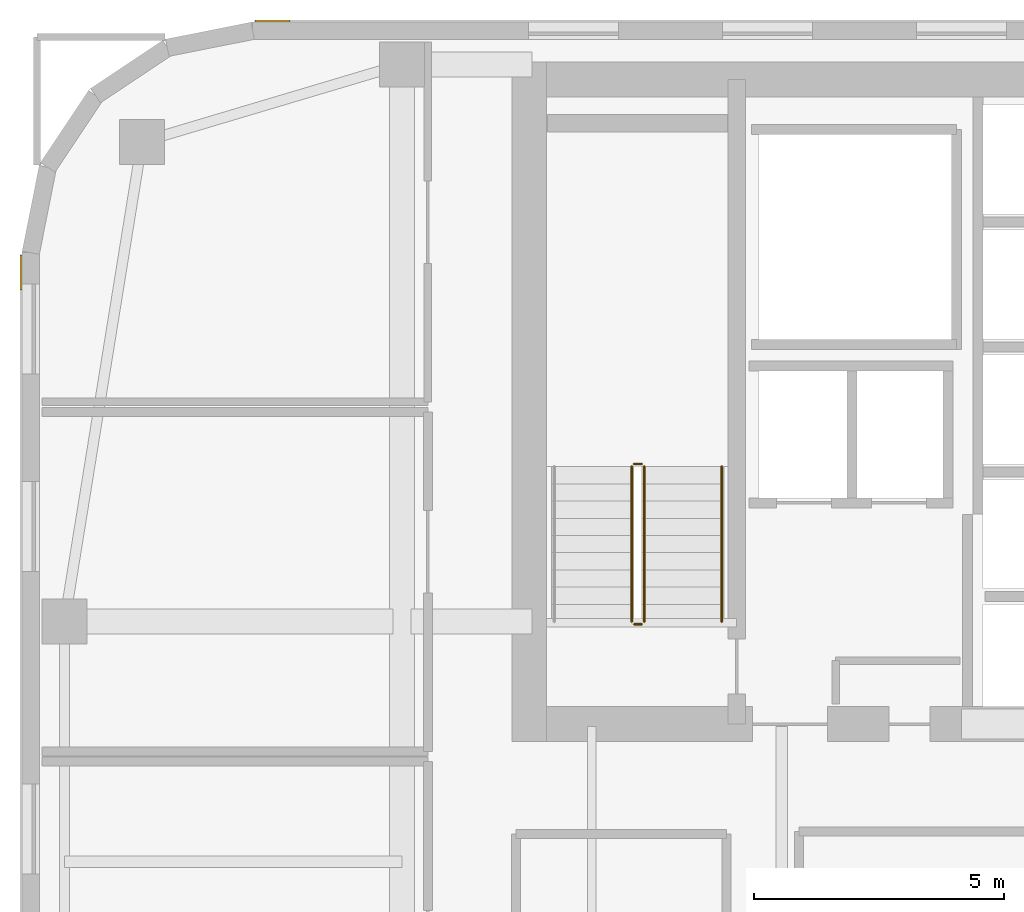
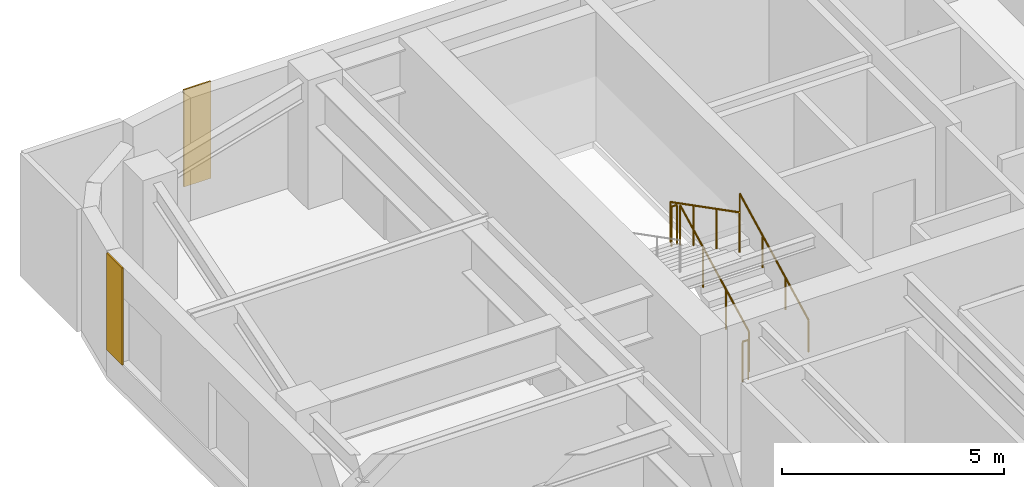
# One storey, part 29 of 31: 5 railings, 2 coverings.
"""IFC4 building model written with IfcOpenShell, lengths in metres."""

import ifcopenshell
import ifcopenshell.guid

model = None  # the IFC model being written
_history = None  # IfcOwnerHistory: only IFC2X3 demands one
_inside = {}  # id of a spatial element -> (the spatial element, [elements in it])
_under = {}  # id of a project, library or spatial element -> (it, [spatial elements below it])
_declared = {}  # id of a project -> (the project, [libraries it declares])
_typed = {}  # id of a type object -> (the type object, [elements of that type])
_made_of = {}  # id of a material, layer set ... -> (it, [elements and type objects made of it])


def new_model(schema):
    """Start an empty IFC model of exactly this schema.

    Asked for "IFC4X3", IfcOpenShell would pick the latest addendum, in which some entities
    have other attributes; the version numbers below select the first issue.
    IFC2X3 requires an IfcOwnerHistory on every rooted entity: one is made here for all.
    """
    global model, _history
    if schema == "IFC4X3":
        model = ifcopenshell.file(schema_version=(4, 3, 0, 0))
    else:
        model = ifcopenshell.file(schema=schema)
    _inside.clear()
    _under.clear()
    _declared.clear()
    _typed.clear()
    _made_of.clear()
    _history = None
    if model.schema == "IFC2X3":
        org = make("IfcOrganization", Name="unknown")
        user = make(
            "IfcPersonAndOrganization",
            ThePerson=make("IfcPerson", FamilyName="unknown"),
            TheOrganization=org,
        )
        app = make(
            "IfcApplication",
            ApplicationDeveloper=org,
            Version="unknown",
            ApplicationFullName="unknown",
            ApplicationIdentifier="unknown",
        )
        _history = make(
            "IfcOwnerHistory",
            OwningUser=user,
            OwningApplication=app,
            ChangeAction="ADDED",
            CreationDate=0,
        )
    return model


def make(cls, **values):
    """One entity of the class cls with the attributes given. An attribute that is None is left unset."""
    return model.create_entity(
        cls, **{name: value for name, value in values.items() if value is not None}
    )


def rooted(cls, **values):
    """An entity with a GlobalId (a new one), such as an element, a storey or a relation."""
    return make(cls, GlobalId=ifcopenshell.guid.new(), OwnerHistory=_history, **values)


def si_unit(unit_type, name, prefix=None):
    """IfcSIUnit, for example si_unit("LENGTHUNIT", "METRE", prefix="MILLI")."""
    return make("IfcSIUnit", UnitType=unit_type, Prefix=prefix, Name=name)


def assignment(units):
    """IfcUnitAssignment: the units of a project."""
    return None if units is None else make("IfcUnitAssignment", Units=units)


def point(xyz):
    """IfcCartesianPoint."""
    return None if xyz is None else make("IfcCartesianPoint", Coordinates=xyz)


def direction(xyz):
    """IfcDirection."""
    return None if xyz is None else make("IfcDirection", DirectionRatios=xyz)


def frame(location, z_axis=None, x_axis=None):
    """IfcAxis2Placement3D, a coordinate frame: its origin and axes. An axis left out is left unset."""
    return make(
        "IfcAxis2Placement3D",
        Location=point(location),
        Axis=direction(z_axis),
        RefDirection=direction(x_axis),
    )


def frame_2d(location, x_axis=None):
    """IfcAxis2Placement2D, a coordinate frame in the plane: its origin and x axis."""
    return make(
        "IfcAxis2Placement2D", Location=point(location), RefDirection=direction(x_axis)
    )


def origin():
    """The frame at (0, 0, 0) with its axes left unset."""
    return frame((0.0, 0.0, 0.0))


def origin_2d():
    """The frame at (0, 0) in the plane with its x axis left unset."""
    return frame_2d((0.0, 0.0))


def place(relative_to, where):
    """IfcLocalPlacement: puts the frame where relative to a parent placement (None: the world)."""
    return make(
        "IfcLocalPlacement", PlacementRelTo=relative_to, RelativePlacement=where
    )


def context(
    kind, dimensions, precision=None, world=None, true_north=None, identifier=None
):
    """IfcGeometricRepresentationContext, for example the 3D "Model" context."""
    return make(
        "IfcGeometricRepresentationContext",
        ContextIdentifier=identifier,
        ContextType=kind,
        CoordinateSpaceDimension=dimensions,
        Precision=precision,
        WorldCoordinateSystem=world,
        TrueNorth=true_north,
    )


def subcontext(parent, identifier, kind, view, scale=None):
    """IfcGeometricRepresentationSubContext, for example "Body" below "Model"."""
    return make(
        "IfcGeometricRepresentationSubContext",
        ContextIdentifier=identifier,
        ContextType=kind,
        ParentContext=parent,
        TargetScale=scale,
        TargetView=view,
    )


def project(units=None, contexts=None):
    """IfcProject with its units and contexts."""
    return rooted(
        "IfcProject",
        Name="project",
        RepresentationContexts=contexts,
        UnitsInContext=assignment(units),
    )


def spatial(cls, under=None, at=None, **own):
    """A site, building, storey or space (cls), placed at a placement, below another one or the project."""
    s = rooted(cls, ObjectPlacement=at, **own)
    if under is not None:
        _under.setdefault(under.id(), (under, []))[1].append(s)
    return s


def polyline(points):
    """IfcPolyline through the points."""
    return make("IfcPolyline", Points=[point(p) for p in points])


def profile(cls, at=None, kind="AREA", **sizes):
    """A parametric profile (cls). Its sizes go by their IFC names, for example OverallWidth=200.0."""
    return make(cls, ProfileType=kind, Position=at, **sizes)


def circle(**sizes):
    """IfcCircleProfileDef."""
    return profile("IfcCircleProfileDef", **sizes)


def outline(outer, holes=None, kind="AREA"):
    """IfcArbitraryClosedProfileDef: a profile drawn as a closed curve; with holes, ...WithVoids."""
    if holes is None:
        return make("IfcArbitraryClosedProfileDef", ProfileType=kind, OuterCurve=outer)
    return make(
        "IfcArbitraryProfileDefWithVoids",
        ProfileType=kind,
        OuterCurve=outer,
        InnerCurves=holes,
    )


def extrude(swept, where, along, depth):
    """IfcExtrudedAreaSolid: the profile swept, set in the frame where, extruded along a direction by depth."""
    return make(
        "IfcExtrudedAreaSolid",
        SweptArea=swept,
        Position=where,
        ExtrudedDirection=direction(along),
        Depth=depth,
    )


def shape(context_of_items, identifier, shape_type, items):
    """IfcShapeRepresentation: the items that make up one representation, for example the "Body"."""
    return make(
        "IfcShapeRepresentation",
        ContextOfItems=context_of_items,
        RepresentationIdentifier=identifier,
        RepresentationType=shape_type,
        Items=items,
    )


def material(Name=None, Category=None):
    """IfcMaterial."""
    return make("IfcMaterial", Name=Name, Category=Category)


def layer(
    of_material, thickness, ventilated=None, Name=None, Category=None, Priority=None
):
    """IfcMaterialLayer: one layer of a wall or slab, of a material (None: an air gap)."""
    return make(
        "IfcMaterialLayer",
        Material=of_material,
        LayerThickness=thickness,
        IsVentilated=ventilated,
        Name=Name,
        Category=Category,
        Priority=Priority,
    )


def layer_set(layers, Name=None):
    """IfcMaterialLayerSet."""
    return make("IfcMaterialLayerSet", MaterialLayers=layers, LayerSetName=Name)


def made_of(thing, what):
    """Note that an element or type object is made of a material, layer set ...; save() writes the relation."""
    if what is not None:
        _made_of.setdefault(what.id(), (what, []))[1].append(thing)
    return thing


def type_object(cls, material=None, **own):
    """A type object (cls), such as IfcWallType, which elements share."""
    return made_of(rooted(cls, **own), material)


def element(
    cls,
    number,
    at=None,
    inside=None,
    cuts=None,
    type_object=None,
    material=None,
    context=None,
    identifier="Body",
    shape_type=None,
    held_by="IfcProductDefinitionShape",
    body=None,
    shapes=None,
    **own,
):
    """One element of the class cls, such as IfcWall. Its Tag is "e" and its number.

    at: its placement. inside: the storey or other place that contains it. cuts: it is an
    opening in that element (IfcRelVoidsElement). A single representation is given by context,
    identifier, shape_type and body (its items); several are given by shapes. held_by: the class
    of the entity that holds the representations. save() writes the other relations.
    """
    e = rooted(cls, Tag="e%d" % number, ObjectPlacement=at, **own)
    if body is not None:
        shapes = [shape(context, identifier, shape_type, body)]
    if shapes is not None:
        e.Representation = make(held_by, Representations=shapes)
    if inside is not None:
        _inside.setdefault(inside.id(), (inside, []))[1].append(e)
    if cuts is not None:
        rooted(
            "IfcRelVoidsElement", RelatingBuildingElement=cuts, RelatedOpeningElement=e
        )
    if type_object is not None:
        _typed.setdefault(type_object.id(), (type_object, []))[1].append(e)
    return made_of(e, material)


def aggregate(whole, parts):
    """IfcRelAggregates: a whole, such as a stair, and the parts it consists of."""
    return rooted("IfcRelAggregates", RelatingObject=whole, RelatedObjects=parts)


def save(model, path):
    """Write the relations noted so far, then the file.

    IfcRelAggregates (storeys below a building ...), IfcRelContainedInSpatialStructure (elements
    in a storey), IfcRelDefinesByType, IfcRelAssociatesMaterial and IfcRelDeclares: one each for
    every whole, place, type object, material and project.
    """
    for whole, parts in _under.values():
        aggregate(whole, parts)
    for where, things in _inside.values():
        rooted(
            "IfcRelContainedInSpatialStructure",
            RelatedElements=things,
            RelatingStructure=where,
        )
    for kind, things in _typed.values():
        rooted("IfcRelDefinesByType", RelatedObjects=things, RelatingType=kind)
    for what, things in _made_of.values():
        rooted("IfcRelAssociatesMaterial", RelatedObjects=things, RelatingMaterial=what)
    for by, libraries in _declared.values():
        rooted("IfcRelDeclares", RelatingContext=by, RelatedDefinitions=libraries)
    model.write(path)


model = new_model("IFC4")

# Units and contexts
model_context = context("Model", 3, precision=1e-05, world=origin(), true_north=direction((0.0, 1.0)))
body_context = subcontext(model_context, "Body", "Model", "MODEL_VIEW")
ifc_project = project(units=[si_unit("LENGTHUNIT", "METRE"), si_unit("AREAUNIT", "SQUARE_METRE"), si_unit("VOLUMEUNIT", "CUBIC_METRE"), si_unit("PLANEANGLEUNIT", "RADIAN"), si_unit("MASSUNIT", "GRAM", prefix="KILO")], contexts=[model_context])

# Site, building, storey
site_placement = place(None, origin())
site = spatial("IfcSite", under=ifc_project, at=site_placement, CompositionType="ELEMENT")
building_placement = place(site_placement, origin())
building = spatial("IfcBuilding", under=site, at=building_placement, Name="Tolvann Quenvar Hotel", CompositionType="ELEMENT")
storey_placement = place(building_placement, frame((0.0, 0.0, 125.75)))
storey = spatial("IfcBuildingStorey", under=building, at=storey_placement, Name="L32", CompositionType="ELEMENT", Elevation=125.75)

# Coverings
ifc_material_1 = material(Name="Kiln-fired red architectural face brick cladding", Category="masonry")
ifc_layer = layer(ifc_material_1, 0.0400390625)
ifc_layer_set = layer_set([ifc_layer], Name="Kiln-fired red architectural face brick cladding")
covering_type = type_object("IfcCoveringType", Name="COV_CLAD_BRICK_40", PredefinedType="CLADDING", material=ifc_layer_set)
covering_1_placement = place(storey_placement, frame((0.0, 0.0, 0.699951171875)))
element("IfcCovering", 1, at=covering_1_placement, inside=storey, type_object=covering_type, Name="Brick Pier Cladding (L32-E18-P2)", PredefinedType="CLADDING", context=body_context, shape_type="SweptSolid", body=[
    extrude(outline(polyline([(5.3671875, 46.0), (4.667236328125, 46.0), (4.667236328125, 46.0400390625), (5.3671875, 46.0400390625), (5.3671875, 46.0)])), origin(), (0.0, 0.0, 1.0), 2.670166015625),
])
covering_2_placement = place(storey_placement, frame((0.0, 0.0, 0.699951171875)))
element("IfcCovering", 2, at=covering_2_placement, inside=storey, type_object=covering_type, Name="Brick Pier Cladding (L32-E23-P1)", PredefinedType="CLADDING", context=body_context, shape_type="SweptSolid", body=[
    extrude(outline(polyline([(0.0, 41.332763671875), (0.0, 40.6328125), (-0.0400390625, 40.6328125), (-0.0400390625, 41.332763671875), (0.0, 41.332763671875)])), origin(), (0.0, 0.0, 1.0), 2.670166015625),
])

# Railings
ifc_material_2 = material(Name="Brushed 316 stainless steel balustrade and handrail", Category="steel")
railing_type_1 = type_object("IfcRailingType", Name="GUARDRAIL", PredefinedType="GUARDRAIL", material=ifc_material_2)
railing_1_placement = place(storey_placement, frame((12.449951171875, 34.0, 0.177490234375)))
element("IfcRailing", 3, at=railing_1_placement, inside=storey, type_object=railing_type_1, Name="L32 ST-C1 stair guard 1", PredefinedType="GUARDRAIL", context=body_context, shape_type="SweptSolid", body=[
    extrude(circle(Radius=0.02392578125, at=origin_2d()), frame((0.0, 0.0, 1.09619140625), z_axis=(0.0, 0.889221982265, 0.45747597342), x_axis=(-1.0, 0.0, 0.0)), (0.0, 0.0, 1.0), 3.49169921875),
    extrude(circle(Radius=0.02099609375, at=origin_2d()), origin(), (0.0, 0.0, 1.0), 1.072021484375),
    extrude(circle(Radius=0.02099609375, at=origin_2d()), frame((0.0, 1.034912109375, 0.532470703125)), (0.0, 0.0, 1.0), 1.072021484375),
    extrude(circle(Radius=0.02099609375, at=origin_2d()), frame((0.0, 2.070068359375, 1.06494140625)), (0.0, 0.0, 1.0), 1.072021484375),
    extrude(circle(Radius=0.02099609375, at=origin_2d()), frame((0.0, 3.10498046875, 1.597412109375)), (0.0, 0.0, 1.0), 1.072021484375),
])
railing_2_placement = place(storey_placement, frame((12.39990234375, 37.155029296875, 1.77490234375)))
element("IfcRailing", 4, at=railing_2_placement, inside=storey, type_object=railing_type_1, Name="L32 ST-C1 stair guard 2", PredefinedType="GUARDRAIL", context=body_context, shape_type="SweptSolid", body=[
    extrude(circle(Radius=0.02392578125, at=origin_2d()), frame((0.0, 0.0, 1.09619140625), z_axis=(-1.0, 0.0, 0.0), x_axis=(0.0, -1.0, 0.0)), (0.0, 0.0, 1.0), 0.14990234375),
    extrude(circle(Radius=0.02099609375, at=origin_2d()), origin(), (0.0, 0.0, 1.0), 1.072021484375),
    extrude(circle(Radius=0.02099609375, at=origin_2d()), frame((-0.14990234375, 0.0, 0.0)), (0.0, 0.0, 1.0), 1.072021484375),
])
railing_3_placement = place(storey_placement, frame((12.199951171875, 37.10498046875, 1.952392578125)))
element("IfcRailing", 5, at=railing_3_placement, inside=storey, type_object=railing_type_1, Name="L32 ST-C1 stair guard 3", PredefinedType="GUARDRAIL", context=body_context, shape_type="SweptSolid", body=[
    extrude(circle(Radius=0.02392578125, at=origin_2d()), frame((0.0, 0.0, 1.09619140625), z_axis=(0.0, -0.88919353882, 0.457531256332), x_axis=(1.0, 0.0, 0.0)), (0.0, 0.0, 1.0), 3.491943359375),
    extrude(circle(Radius=0.02099609375, at=origin_2d()), origin(), (0.0, 0.0, 1.0), 1.072021484375),
    extrude(circle(Radius=0.02099609375, at=origin_2d()), frame((0.0, -1.034912109375, 0.532470703125)), (0.0, 0.0, 1.0), 1.072021484375),
    extrude(circle(Radius=0.02099609375, at=origin_2d()), frame((0.0, -2.070068359375, 1.065185546875)), (0.0, 0.0, 1.0), 1.072021484375),
    extrude(circle(Radius=0.02099609375, at=origin_2d()), frame((0.0, -3.10498046875, 1.59765625)), (0.0, 0.0, 1.0), 1.072021484375),
])
railing_4_placement = place(storey_placement, frame((12.39990234375, 33.949951171875, 0.0)))
element("IfcRailing", 6, at=railing_4_placement, inside=storey, type_object=railing_type_1, Name="L32 ST-C1 stair guard 4", PredefinedType="GUARDRAIL", context=body_context, shape_type="SweptSolid", body=[
    extrude(circle(Radius=0.02392578125, at=origin_2d()), frame((0.0, 0.0, 1.09619140625), z_axis=(-1.0, 0.0, 0.0), x_axis=(0.0, -1.0, 0.0)), (0.0, 0.0, 1.0), 0.14990234375),
    extrude(circle(Radius=0.02099609375, at=origin_2d()), origin(), (0.0, 0.0, 1.0), 1.072021484375),
    extrude(circle(Radius=0.02099609375, at=origin_2d()), frame((-0.14990234375, 0.0, 0.0)), (0.0, 0.0, 1.0), 1.072021484375),
])
railing_type_2 = type_object("IfcRailingType", Name="HANDRAIL", PredefinedType="HANDRAIL", material=ifc_material_2)
railing_5_placement = place(storey_placement, frame((14.0, 34.0, 0.177490234375)))
element("IfcRailing", 7, at=railing_5_placement, inside=storey, type_object=railing_type_2, Name="L32 ST-C1 stair handrail 1", PredefinedType="HANDRAIL", context=body_context, shape_type="SweptSolid", body=[
    extrude(circle(Radius=0.02392578125, at=origin_2d()), frame((0.0, 0.0, 0.8759765625), z_axis=(0.0, 0.889221982265, 0.45747597342), x_axis=(-1.0, 0.0, 0.0)), (0.0, 0.0, 1.0), 3.49169921875),
    extrude(circle(Radius=0.02099609375, at=origin_2d()), origin(), (0.0, 0.0, 1.0), 0.851806640625),
    extrude(circle(Radius=0.02099609375, at=origin_2d()), frame((0.0, 1.034912109375, 0.532470703125)), (0.0, 0.0, 1.0), 0.851806640625),
    extrude(circle(Radius=0.02099609375, at=origin_2d()), frame((0.0, 2.070068359375, 1.06494140625)), (0.0, 0.0, 1.0), 0.851806640625),
    extrude(circle(Radius=0.02099609375, at=origin_2d()), frame((0.0, 3.10498046875, 1.597412109375)), (0.0, 0.0, 1.0), 0.851806640625),
])

save(model, "model.ifc")
